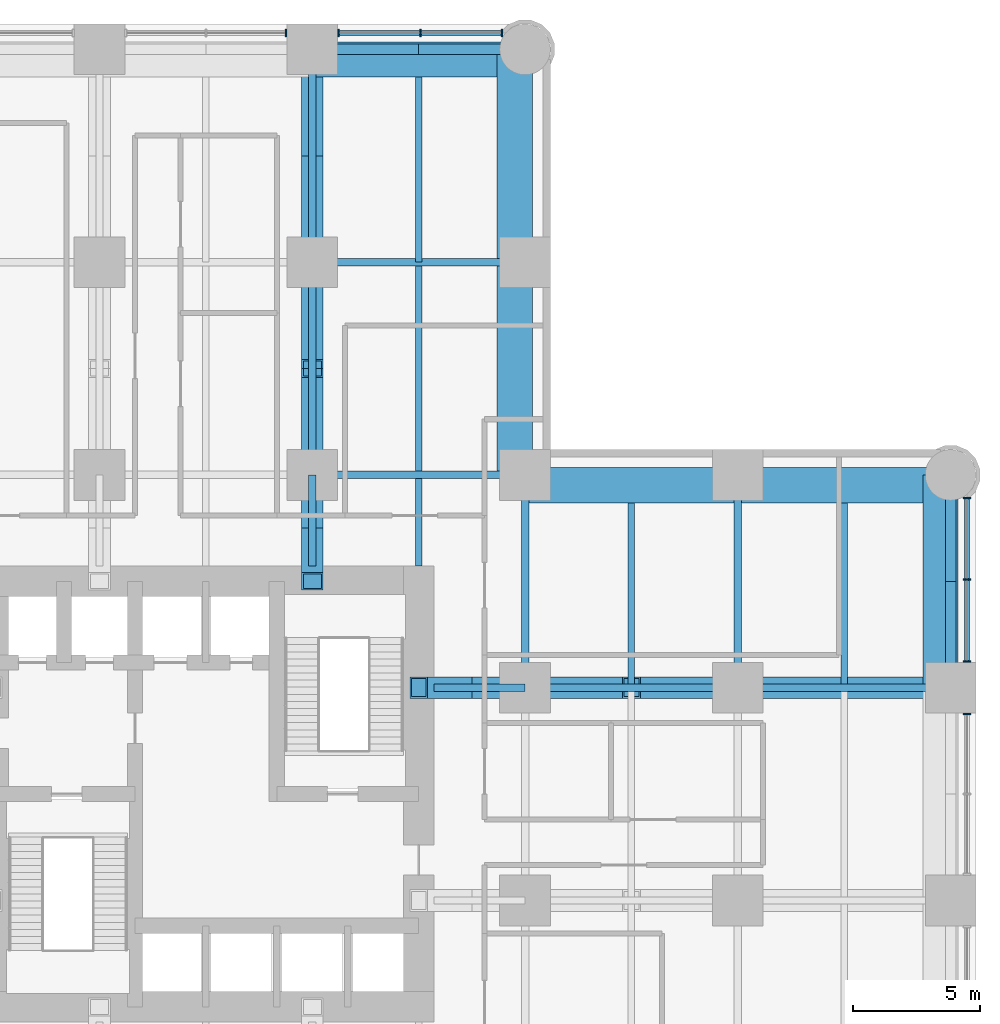
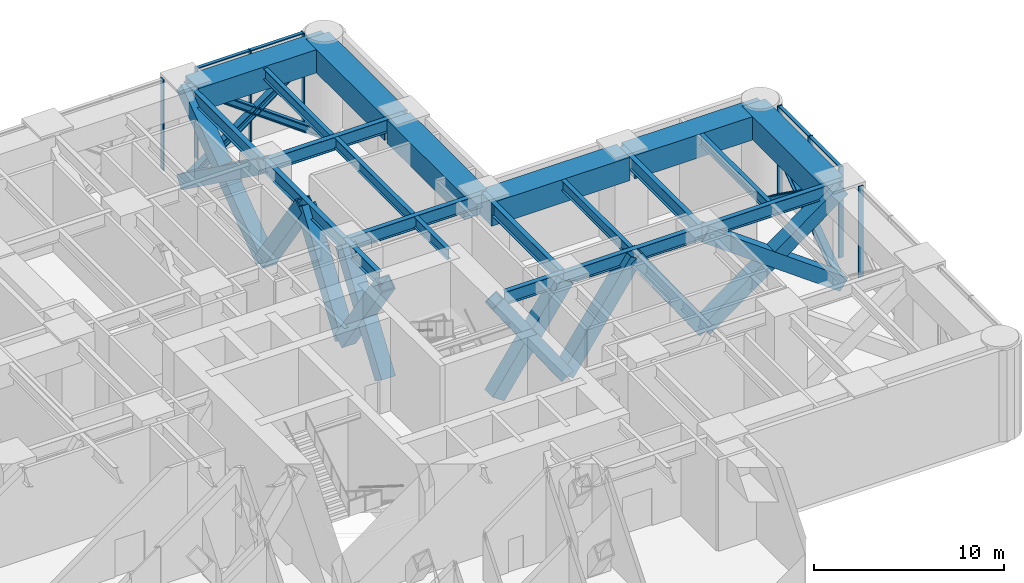
# One storey, part 6 of 12: 28 members, 21 beams, 2 elements without a shape of their own.
"""IFC4 building model written with IfcOpenShell, lengths in metres."""

from ifc_helpers import new_model, si_unit, direction, frame, origin, origin_2d, place, context, subcontext, project, spatial, rectangle, hollow_rectangle, i_section, extrude, material, material_profile, profile_set, type_object, element, aggregate, save


model = new_model("IFC4")

# Units and contexts
model_context = context("Model", 3, precision=1e-05, world=origin(), true_north=direction((0.0, 1.0)))
body_context = subcontext(model_context, "Body", "Model", "MODEL_VIEW")
ifc_project = project(units=[si_unit("LENGTHUNIT", "METRE"), si_unit("AREAUNIT", "SQUARE_METRE"), si_unit("VOLUMEUNIT", "CUBIC_METRE"), si_unit("PLANEANGLEUNIT", "RADIAN"), si_unit("MASSUNIT", "GRAM", prefix="KILO")], contexts=[model_context])

# Site, building, storey
site_placement = place(None, origin())
site = spatial("IfcSite", under=ifc_project, at=site_placement, CompositionType="ELEMENT")
building_placement = place(site_placement, origin())
building = spatial("IfcBuilding", under=site, at=building_placement, Name="Torre Alcanfor", CompositionType="ELEMENT")
storey_placement = place(building_placement, frame((0.0, 0.0, 102.89990234375)))
storey = spatial("IfcBuildingStorey", under=building, at=storey_placement, Name="L26", CompositionType="ELEMENT", Elevation=102.89990234375)

# Members
ifc_material_1 = material(Name="Steel ASTM A992 Grade 50", Category="steel")
ifc_material_profile_1 = material_profile(ifc_material_1, i_section(OverallWidth=0.411376953125, OverallDepth=0.434326171875, WebThickness=0.035888671875, FlangeThickness=0.057373046875, at=origin_2d()), Name="W14x311")
ifc_profile_set_1 = profile_set([ifc_material_profile_1], Name="Steel ASTM A992 Grade 50")
member_type_1 = type_object("IfcMemberType", Name="Belt truss diagonal W14x311", PredefinedType="BRACE", material=ifc_profile_set_1)
for number, where, z_axis, x_axis, name in (
    (1, (33.60009765625, 58.800048828125, -0.64990234375), (0.809144712888, 0.0, 0.587609422665), (0.0, 1.0, 0.0), "Belt truss L26 N arm panel 3 diagonal A"),
    (2, (42.0, 58.800048828125, -0.64990234375), (-0.809144712888, 0.0, 0.587609422665), (0.0, -1.0, 0.0), "Belt truss L26 N arm panel 3 diagonal B"),
    (3, (58.800048828125, 33.60009765625, -0.64990234375), (0.0, 0.809144712888, 0.587609422665), (-1.0, 0.0, 0.0), "Belt truss L26 E arm panel 3 diagonal A"),
    (4, (58.800048828125, 42.0, -0.64990234375), (0.0, -0.809144712888, 0.587609422665), (1.0, 0.0, 0.0), "Belt truss L26 E arm panel 3 diagonal B"),
):
    element("IfcMember", number, at=place(storey_placement, frame(where, z_axis=z_axis, x_axis=x_axis)), inside=storey, type_object=member_type_1, Name=name, PredefinedType="BRACE", context=body_context, shape_type="SweptSolid", body=[
        extrude(i_section(OverallWidth=0.411376953125, OverallDepth=0.434326171875, WebThickness=0.035888671875, FlangeThickness=0.057373046875, at=origin_2d()), origin(), (0.0, 0.0, 1.0), 10.381103515625),
    ])

# Curtain wall, members
ifc_material_2 = material(Name="Aluminium and glass", Category="aluminium")
curtain_wall_type = type_object("IfcCurtainWallType", Name="CW-D plant floor louvre screen", PredefinedType="NOTDEFINED", material=ifc_material_2)
curtain_wall_1_placement = place(storey_placement, origin())
curtain_wall_1 = element("IfcCurtainWall", 5, at=curtain_wall_1_placement, inside=storey, type_object=curtain_wall_type, Name="Curtain wall CW-D L26 8", PredefinedType="NOTDEFINED")
ifc_material_3 = material(Name="Extruded aluminium", Category="aluminium")
ifc_material_profile_2 = material_profile(ifc_material_3, rectangle(XDim=0.300048828125, YDim=0.06494140625, at=origin_2d()), Name="CW-D mullion 65x300")
ifc_profile_set_2 = profile_set([ifc_material_profile_2], Name="Extruded aluminium")
member_type_2 = type_object("IfcMemberType", Name="CW-D mullion 65x300", PredefinedType="MULLION", material=ifc_profile_set_2)
member_1_placement = place(storey_placement, frame((59.449951171875, 32.5625, 0.0), z_axis=(0.0, 0.0, 1.0), x_axis=(-1.0, 0.0, 0.0)))
member_1 = element("IfcMember", 6, at=member_1_placement, type_object=member_type_2, Name="CW-D mullion 2.3", PredefinedType="MULLION", context=body_context, shape_type="SweptSolid", body=[
    extrude(rectangle(XDim=0.300048828125, YDim=0.06494140625, at=origin_2d()), origin(), (0.0, 0.0, 1.0), 5.85009765625),
])
member_2_placement = place(storey_placement, frame((59.449951171875, 34.637451171875, 0.0), z_axis=(0.0, 0.0, 1.0), x_axis=(-1.0, 0.0, 0.0)))
member_2 = element("IfcMember", 7, at=member_2_placement, type_object=member_type_2, Name="CW-D mullion 3.1", PredefinedType="MULLION", context=body_context, shape_type="SweptSolid", body=[
    extrude(rectangle(XDim=0.300048828125, YDim=0.06494140625, at=origin_2d()), origin(), (0.0, 0.0, 1.0), 5.85009765625),
])
member_3_placement = place(storey_placement, frame((59.449951171875, 37.86669921875, 0.0), z_axis=(0.0, 0.0, 1.0), x_axis=(-1.0, 0.0, 0.0)))
member_3 = element("IfcMember", 8, at=member_3_placement, type_object=member_type_2, Name="CW-D mullion 3.2", PredefinedType="MULLION", context=body_context, shape_type="SweptSolid", body=[
    extrude(rectangle(XDim=0.300048828125, YDim=0.06494140625, at=origin_2d()), origin(), (0.0, 0.0, 1.0), 5.85009765625),
])
member_4_placement = place(storey_placement, frame((59.449951171875, 41.095703125, 0.0), z_axis=(0.0, 0.0, 1.0), x_axis=(-1.0, 0.0, 0.0)))
member_4 = element("IfcMember", 9, at=member_4_placement, type_object=member_type_2, Name="CW-D mullion 3.3", PredefinedType="MULLION", context=body_context, shape_type="SweptSolid", body=[
    extrude(rectangle(XDim=0.300048828125, YDim=0.06494140625, at=origin_2d()), origin(), (0.0, 0.0, 1.0), 5.85009765625),
])

curtain_wall_2_placement = place(storey_placement, origin())
curtain_wall_2 = element("IfcCurtainWall", 10, at=curtain_wall_2_placement, inside=storey, type_object=curtain_wall_type, Name="Curtain wall CW-D L26 11", PredefinedType="NOTDEFINED")
member_5_placement = place(storey_placement, frame((41.095703125, 59.449951171875, 0.0), z_axis=(0.0, 0.0, 1.0), x_axis=(0.0, -1.0, 0.0)))
member_5 = element("IfcMember", 11, at=member_5_placement, type_object=member_type_2, Name="CW-D mullion 1.1", PredefinedType="MULLION", context=body_context, shape_type="SweptSolid", body=[
    extrude(rectangle(XDim=0.300048828125, YDim=0.06494140625, at=origin_2d()), origin(), (0.0, 0.0, 1.0), 5.85009765625),
])
member_6_placement = place(storey_placement, frame((37.86669921875, 59.449951171875, 0.0), z_axis=(0.0, 0.0, 1.0), x_axis=(0.0, -1.0, 0.0)))
member_6 = element("IfcMember", 12, at=member_6_placement, type_object=member_type_2, Name="CW-D mullion 1.2", PredefinedType="MULLION", context=body_context, shape_type="SweptSolid", body=[
    extrude(rectangle(XDim=0.300048828125, YDim=0.06494140625, at=origin_2d()), origin(), (0.0, 0.0, 1.0), 5.85009765625),
])
member_7_placement = place(storey_placement, frame((34.637451171875, 59.449951171875, 0.0), z_axis=(0.0, 0.0, 1.0), x_axis=(0.0, -1.0, 0.0)))
member_7 = element("IfcMember", 13, at=member_7_placement, type_object=member_type_2, Name="CW-D mullion 1.3", PredefinedType="MULLION", context=body_context, shape_type="SweptSolid", body=[
    extrude(rectangle(XDim=0.300048828125, YDim=0.06494140625, at=origin_2d()), origin(), (0.0, 0.0, 1.0), 5.85009765625),
])
member_8_placement = place(storey_placement, frame((32.5625, 59.449951171875, 0.0), z_axis=(0.0, 0.0, 1.0), x_axis=(0.0, -1.0, 0.0)))
member_8 = element("IfcMember", 14, at=member_8_placement, type_object=member_type_2, Name="CW-D mullion 2.1", PredefinedType="MULLION", context=body_context, shape_type="SweptSolid", body=[
    extrude(rectangle(XDim=0.300048828125, YDim=0.06494140625, at=origin_2d()), origin(), (0.0, 0.0, 1.0), 5.85009765625),
])

# Member
ifc_material_4 = material(Name="Extruded aluminium", Category="aluminium")
ifc_material_profile_3 = material_profile(ifc_material_4, rectangle(XDim=0.199951171875, YDim=0.06494140625, at=origin_2d()), Name="CW-D transom 200x65")
ifc_profile_set_3 = profile_set([ifc_material_profile_3], Name="Extruded aluminium")
member_type_3 = type_object("IfcMemberType", Name="CW-D transom 65x200", PredefinedType="USERDEFINED", material=ifc_profile_set_3)
member_9_placement = place(storey_placement, frame((59.449951171875, 34.669921875, 5.817626953125), z_axis=(0.0, 1.0, 0.0), x_axis=(-1.0, 0.0, 0.0)))
member_9 = element("IfcMember", 15, at=member_9_placement, type_object=member_type_3, Name="CW-D transom 3.1.2", ObjectType="TRANSOM", PredefinedType="USERDEFINED", context=body_context, shape_type="SweptSolid", body=[
    extrude(rectangle(XDim=0.199951171875, YDim=0.06494140625, at=origin_2d()), origin(), (0.0, 0.0, 1.0), 3.164306640625),
])

member_10_placement = place(storey_placement, frame((59.449951171875, 37.899169921875, 5.817626953125), z_axis=(0.0, 1.0, 0.0), x_axis=(-1.0, 0.0, 0.0)))
member_10 = element("IfcMember", 16, at=member_10_placement, type_object=member_type_3, Name="CW-D transom 3.2.2", ObjectType="TRANSOM", PredefinedType="USERDEFINED", context=body_context, shape_type="SweptSolid", body=[
    extrude(rectangle(XDim=0.199951171875, YDim=0.06494140625, at=origin_2d()), origin(), (0.0, 0.0, 1.0), 3.1640625),
])

aggregate(curtain_wall_1, [member_1, member_2, member_3, member_4, member_9, member_10])

member_11_placement = place(storey_placement, frame((41.063232421875, 59.449951171875, 5.817626953125), z_axis=(-1.0, 0.0, 0.0), x_axis=(0.0, -1.0, 0.0)))
member_11 = element("IfcMember", 17, at=member_11_placement, type_object=member_type_3, Name="CW-D transom 1.1.2", ObjectType="TRANSOM", PredefinedType="USERDEFINED", context=body_context, shape_type="SweptSolid", body=[
    extrude(rectangle(XDim=0.199951171875, YDim=0.06494140625, at=origin_2d()), origin(), (0.0, 0.0, 1.0), 3.1640625),
])

member_12_placement = place(storey_placement, frame((37.834228515625, 59.449951171875, 5.817626953125), z_axis=(-1.0, 0.0, 0.0), x_axis=(0.0, -1.0, 0.0)))
member_12 = element("IfcMember", 18, at=member_12_placement, type_object=member_type_3, Name="CW-D transom 1.2.2", ObjectType="TRANSOM", PredefinedType="USERDEFINED", context=body_context, shape_type="SweptSolid", body=[
    extrude(rectangle(XDim=0.199951171875, YDim=0.06494140625, at=origin_2d()), origin(), (0.0, 0.0, 1.0), 3.164306640625),
])

aggregate(curtain_wall_2, [member_5, member_6, member_7, member_11, member_12, member_8])

# Beams
ifc_material_5 = material(Name="Steel ASTM A992 Grade 50", Category="steel")
ifc_material_profile_4 = material_profile(ifc_material_5, i_section(OverallWidth=0.2919921875, OverallDepth=0.8408203125, WebThickness=0.0146484375, FlangeThickness=0.021728515625, at=origin_2d()), Name="W33x130")
ifc_profile_set_4 = profile_set([ifc_material_profile_4], Name="Steel ASTM A992 Grade 50")
beam_type_1 = type_object("IfcBeamType", Name="Girder W33x130", PredefinedType="BEAM", material=ifc_profile_set_4)
beam_1_placement = place(storey_placement, frame((42.0, 33.60009765625, 5.4296875), z_axis=(1.0, 0.0, 0.0), x_axis=(0.0, 1.0, 0.0)))
element("IfcBeam", 19, at=beam_1_placement, inside=storey, type_object=beam_type_1, Name="Beam 6G-7G under L27", PredefinedType="BEAM", context=body_context, shape_type="SweptSolid", body=[
    extrude(i_section(OverallWidth=0.2919921875, OverallDepth=0.8408203125, WebThickness=0.0146484375, FlangeThickness=0.021728515625, at=origin_2d()), origin(), (0.0, 0.0, 1.0), 8.39990234375),
])
beam_2_placement = place(storey_placement, frame((50.39990234375, 33.60009765625, 5.4296875), z_axis=(1.0, 0.0, 0.0), x_axis=(0.0, 1.0, 0.0)))
element("IfcBeam", 20, at=beam_2_placement, inside=storey, type_object=beam_type_1, Name="Beam 7G-8G under L27", PredefinedType="BEAM", context=body_context, shape_type="SweptSolid", body=[
    extrude(i_section(OverallWidth=0.2919921875, OverallDepth=0.8408203125, WebThickness=0.0146484375, FlangeThickness=0.021728515625, at=origin_2d()), origin(), (0.0, 0.0, 1.0), 8.400146484375),
])
for number, where, z_axis, x_axis, name in (
    (21, (33.60009765625, 42.0, 5.4296875), (1.0, 0.0, 0.0), (0.0, 1.0, 0.0), "Beam 5H-6H under L27"),
    (22, (33.60009765625, 50.39990234375, 5.4296875), (1.0, 0.0, 0.0), (0.0, 1.0, 0.0), "Beam 5J-6J under L27"),
    (23, (33.60009765625, 42.0, 5.4296875), (0.0, 1.0, 0.0), (-1.0, 0.0, 0.0), "Beam 5H-5J under L27"),
):
    element("IfcBeam", number, at=place(storey_placement, frame(where, z_axis=z_axis, x_axis=x_axis)), inside=storey, type_object=beam_type_1, Name=name, PredefinedType="BEAM", context=body_context, shape_type="SweptSolid", body=[
        extrude(i_section(OverallWidth=0.2919921875, OverallDepth=0.8408203125, WebThickness=0.0146484375, FlangeThickness=0.021728515625, at=origin_2d()), origin(), (0.0, 0.0, 1.0), 8.39990234375),
    ])
beam_3_placement = place(storey_placement, frame((33.60009765625, 50.39990234375, 5.329833984375), z_axis=(0.0, 1.0, 0.0), x_axis=(-1.0, 0.0, 0.0)))
element("IfcBeam", 24, at=beam_3_placement, inside=storey, type_object=beam_type_1, Name="Beam 5J-5K under L27", PredefinedType="BEAM", context=body_context, shape_type="SweptSolid", body=[
    extrude(i_section(OverallWidth=0.2919921875, OverallDepth=0.8408203125, WebThickness=0.0146484375, FlangeThickness=0.021728515625, at=origin_2d()), origin(), (0.0, 0.0, 1.0), 8.400146484375),
])
for number, where, z_axis, x_axis, name in (
    (25, (42.0, 33.60009765625, 5.4296875), (0.0, 1.0, 0.0), (-1.0, 0.0, 0.0), "Beam 6G-6H under L27"),
    (26, (50.39990234375, 33.60009765625, 5.4296875), (0.0, 1.0, 0.0), (-1.0, 0.0, 0.0), "Beam 7G-7H under L27"),
):
    element("IfcBeam", number, at=place(storey_placement, frame(where, z_axis=z_axis, x_axis=x_axis)), inside=storey, type_object=beam_type_1, Name=name, PredefinedType="BEAM", context=body_context, shape_type="SweptSolid", body=[
        extrude(i_section(OverallWidth=0.2919921875, OverallDepth=0.8408203125, WebThickness=0.0146484375, FlangeThickness=0.021728515625, at=origin_2d()), origin(), (0.0, 0.0, 1.0), 8.39990234375),
    ])
ifc_material_6 = material(Name="Steel ASTM A992 Grade 50", Category="steel")
ifc_material_profile_5 = material_profile(ifc_material_6, i_section(OverallWidth=0.2919921875, OverallDepth=0.8408203125, WebThickness=0.0146484375, FlangeThickness=0.021728515625, at=origin_2d()), Name="W33x130")
ifc_profile_set_5 = profile_set([ifc_material_profile_5], Name="Steel ASTM A992 Grade 50")
beam_type_2 = type_object("IfcBeamType", Name="Girder, part bay W33x130", PredefinedType="BEAM", material=ifc_profile_set_5)
for number, where, z_axis, x_axis, name in (
    (27, (33.60009765625, 42.0, 5.4296875), (0.0, -1.0, 0.0), (1.0, 0.0, 0.0), "Beam 5H-538_4 under L27"),
    (28, (42.0, 33.60009765625, 5.4296875), (-1.0, 0.0, 0.0), (0.0, -1.0, 0.0), "Beam 6G-38_4G under L27"),
):
    element("IfcBeam", number, at=place(storey_placement, frame(where, z_axis=z_axis, x_axis=x_axis)), inside=storey, type_object=beam_type_2, Name=name, PredefinedType="BEAM", context=body_context, shape_type="SweptSolid", body=[
        extrude(i_section(OverallWidth=0.2919921875, OverallDepth=0.8408203125, WebThickness=0.0146484375, FlangeThickness=0.021728515625, at=origin_2d()), origin(), (0.0, 0.0, 1.0), 3.60009765625),
    ])

# Members
ifc_material_7 = material(Name="Steel ASTM A572 Grade 50 plate", Category="steel")
ifc_material_profile_6 = material_profile(ifc_material_7, hollow_rectangle(XDim=0.85009765625, YDim=0.85009765625, WallThickness=0.070068359375, at=origin_2d()), Name="BOX 850x850x70")
ifc_profile_set_6 = profile_set([ifc_material_profile_6], Name="Steel ASTM A572 Grade 50 plate")
member_type_4 = type_object("IfcMemberType", Name="Outrigger truss diagonal BOx850x850x70", PredefinedType="BRACE", material=ifc_profile_set_6)
for number, where, z_axis, x_axis, name in (
    (29, (33.60009765625, 37.800048828125, -0.64990234375), (0.0, 0.567091101321, 0.823655075139), (-1.0, 0.0, 0.0), "Outrigger truss L26 N arm grid 33.6 panel 1 diagonal A"),
    (30, (33.60009765625, 42.0, -0.64990234375), (0.0, -0.567091101321, 0.823655075139), (1.0, 0.0, 0.0), "Outrigger truss L26 N arm grid 33.6 panel 1 diagonal B"),
    (31, (33.60009765625, 42.0, -0.64990234375), (0.0, 0.567091101321, 0.823655075139), (-1.0, 0.0, 0.0), "Outrigger truss L26 N arm grid 33.6 panel 2 diagonal A"),
    (32, (33.60009765625, 50.39990234375, -0.64990234375), (0.0, -0.567091101321, 0.823655075139), (1.0, 0.0, 0.0), "Outrigger truss L26 N arm grid 33.6 panel 2 diagonal B"),
):
    element("IfcMember", number, at=place(storey_placement, frame(where, z_axis=z_axis, x_axis=x_axis)), inside=storey, type_object=member_type_4, Name=name, PredefinedType="BRACE", context=body_context, shape_type="SweptSolid", body=[
        extrude(hollow_rectangle(XDim=0.85009765625, YDim=0.85009765625, WallThickness=0.070068359375, at=origin_2d()), origin(), (0.0, 0.0, 1.0), 7.40625),
    ])
for number, where, z_axis, x_axis, name in (
    (33, (33.60009765625, 50.39990234375, -0.64990234375), (0.0, 0.809152832909, 0.587598241144), (-1.0, 0.0, 0.0), "Outrigger truss L26 N arm grid 33.6 panel 3 diagonal A"),
    (34, (33.60009765625, 58.800048828125, -0.64990234375), (0.0, -0.809152832909, 0.587598241144), (1.0, 0.0, 0.0), "Outrigger truss L26 N arm grid 33.6 panel 3 diagonal B"),
):
    element("IfcMember", number, at=place(storey_placement, frame(where, z_axis=z_axis, x_axis=x_axis)), inside=storey, type_object=member_type_4, Name=name, PredefinedType="BRACE", context=body_context, shape_type="SweptSolid", body=[
        extrude(hollow_rectangle(XDim=0.85009765625, YDim=0.85009765625, WallThickness=0.070068359375, at=origin_2d()), origin(), (0.0, 0.0, 1.0), 10.38134765625),
    ])
for number, where, z_axis, x_axis, name in (
    (35, (37.800048828125, 33.60009765625, -0.64990234375), (0.567091101321, 0.0, 0.823655075139), (0.0, 1.0, 0.0), "Outrigger truss L26 E arm grid 33.6 panel 1 diagonal A"),
    (36, (42.0, 33.60009765625, -0.64990234375), (-0.567091101321, 0.0, 0.823655075139), (0.0, -1.0, 0.0), "Outrigger truss L26 E arm grid 33.6 panel 1 diagonal B"),
    (37, (42.0, 33.60009765625, -0.64990234375), (0.567091101321, 0.0, 0.823655075139), (0.0, 1.0, 0.0), "Outrigger truss L26 E arm grid 33.6 panel 2 diagonal A"),
    (38, (50.39990234375, 33.60009765625, -0.64990234375), (-0.567091101321, 0.0, 0.823655075139), (0.0, -1.0, 0.0), "Outrigger truss L26 E arm grid 33.6 panel 2 diagonal B"),
):
    element("IfcMember", number, at=place(storey_placement, frame(where, z_axis=z_axis, x_axis=x_axis)), inside=storey, type_object=member_type_4, Name=name, PredefinedType="BRACE", context=body_context, shape_type="SweptSolid", body=[
        extrude(hollow_rectangle(XDim=0.85009765625, YDim=0.85009765625, WallThickness=0.070068359375, at=origin_2d()), origin(), (0.0, 0.0, 1.0), 7.40625),
    ])
for number, where, z_axis, x_axis, name in (
    (39, (50.39990234375, 33.60009765625, -0.64990234375), (0.809152832909, 0.0, 0.587598241144), (0.0, 1.0, 0.0), "Outrigger truss L26 E arm grid 33.6 panel 3 diagonal A"),
    (40, (58.800048828125, 33.60009765625, -0.64990234375), (-0.809152832909, 0.0, 0.587598241144), (0.0, -1.0, 0.0), "Outrigger truss L26 E arm grid 33.6 panel 3 diagonal B"),
):
    element("IfcMember", number, at=place(storey_placement, frame(where, z_axis=z_axis, x_axis=x_axis)), inside=storey, type_object=member_type_4, Name=name, PredefinedType="BRACE", context=body_context, shape_type="SweptSolid", body=[
        extrude(hollow_rectangle(XDim=0.85009765625, YDim=0.85009765625, WallThickness=0.070068359375, at=origin_2d()), origin(), (0.0, 0.0, 1.0), 10.38134765625),
    ])

# Beams
ifc_material_8 = material(Name="Concrete f'c 70 MPa", Category="concrete")
ifc_material_profile_7 = material_profile(ifc_material_8, rectangle(XDim=1.39990234375, YDim=1.5, at=origin_2d()), Name="1400x1500")
ifc_profile_set_7 = profile_set([ifc_material_profile_7], Name="Concrete f'c 70 MPa")
beam_type_3 = type_object("IfcBeamType", Name="RC perimeter beam 1400x1500", PredefinedType="BEAM", material=ifc_profile_set_7)
beam_4_placement = place(storey_placement, frame((41.85400390625, 41.60009765625, 5.10009765625), z_axis=(1.0, 0.0, 0.0), x_axis=(0.0, 1.0, 0.0)))
element("IfcBeam", 41, at=beam_4_placement, inside=storey, type_object=beam_type_3, Name="Beam 6H-7H under L27", PredefinedType="BEAM", context=body_context, shape_type="SweptSolid", body=[
    extrude(rectangle(XDim=1.39990234375, YDim=1.5, at=origin_2d()), origin(), (0.0, 0.0, 1.0), 8.39990234375),
])
beam_5_placement = place(storey_placement, frame((50.5458984375, 41.60009765625, 5.10009765625), z_axis=(1.0, 0.0, 0.0), x_axis=(0.0, 1.0, 0.0)))
element("IfcBeam", 42, at=beam_5_placement, inside=storey, type_object=beam_type_3, Name="Beam 7H-8H under L27", PredefinedType="BEAM", context=body_context, shape_type="SweptSolid", body=[
    extrude(rectangle(XDim=1.39990234375, YDim=1.5, at=origin_2d()), origin(), (0.0, 0.0, 1.0), 8.254150390625),
])
beam_6_placement = place(storey_placement, frame((33.74609375, 58.39990234375, 5.10009765625), z_axis=(1.0, 0.0, 0.0), x_axis=(0.0, 1.0, 0.0)))
element("IfcBeam", 43, at=beam_6_placement, inside=storey, type_object=beam_type_3, Name="Beam 5K-6K under L27", PredefinedType="BEAM", context=body_context, shape_type="SweptSolid", body=[
    extrude(rectangle(XDim=1.39990234375, YDim=1.5, at=origin_2d()), origin(), (0.0, 0.0, 1.0), 8.25390625),
])
beam_7_placement = place(storey_placement, frame((41.60009765625, 42.14599609375, 5.10009765625), z_axis=(0.0, 1.0, 0.0), x_axis=(-1.0, 0.0, 0.0)))
element("IfcBeam", 44, at=beam_7_placement, inside=storey, type_object=beam_type_3, Name="Beam 6H-6J under L27", PredefinedType="BEAM", context=body_context, shape_type="SweptSolid", body=[
    extrude(rectangle(XDim=1.39990234375, YDim=1.5, at=origin_2d()), origin(), (0.0, 0.0, 1.0), 8.10791015625),
])
beam_8_placement = place(storey_placement, frame((41.60009765625, 50.5458984375, 5.10009765625), z_axis=(0.0, 1.0, 0.0), x_axis=(-1.0, 0.0, 0.0)))
element("IfcBeam", 45, at=beam_8_placement, inside=storey, type_object=beam_type_3, Name="Beam 6J-6K under L27", PredefinedType="BEAM", context=body_context, shape_type="SweptSolid", body=[
    extrude(rectangle(XDim=1.39990234375, YDim=1.5, at=origin_2d()), origin(), (0.0, 0.0, 1.0), 8.254150390625),
])
beam_9_placement = place(storey_placement, frame((58.39990234375, 33.74609375, 5.10009765625), z_axis=(0.0, 1.0, 0.0), x_axis=(-1.0, 0.0, 0.0)))
element("IfcBeam", 46, at=beam_9_placement, inside=storey, type_object=beam_type_3, Name="Beam 8G-8H under L27", PredefinedType="BEAM", context=body_context, shape_type="SweptSolid", body=[
    extrude(rectangle(XDim=1.39990234375, YDim=1.5, at=origin_2d()), origin(), (0.0, 0.0, 1.0), 8.25390625),
])
ifc_material_9 = material(Name="Steel ASTM A992 Grade 50", Category="steel")
ifc_material_profile_8 = material_profile(ifc_material_9, i_section(OverallWidth=0.25390625, OverallDepth=0.683349609375, WebThickness=0.012451171875, FlangeThickness=0.01904296875, at=origin_2d()), Name="W27x94")
ifc_profile_set_8 = profile_set([ifc_material_profile_8], Name="Steel ASTM A992 Grade 50")
beam_type_4 = type_object("IfcBeamType", Name="Secondary beam W27x94", PredefinedType="BEAM", material=ifc_profile_set_8)
beam_10_placement = place(storey_placement, frame((37.800048828125, 42.14599609375, 5.508544921875), z_axis=(0.0, 1.0, 0.0), x_axis=(-1.0, 0.0, 0.0)))
element("IfcBeam", 47, at=beam_10_placement, inside=storey, type_object=beam_type_4, Name="Beam 37_8H-37_8J under L27", PredefinedType="BEAM", context=body_context, shape_type="SweptSolid", body=[
    extrude(i_section(OverallWidth=0.25390625, OverallDepth=0.683349609375, WebThickness=0.012451171875, FlangeThickness=0.01904296875, at=origin_2d()), origin(), (0.0, 0.0, 1.0), 8.10791015625),
])
beam_11_placement = place(storey_placement, frame((37.800048828125, 50.406982421875, 5.408447265625), z_axis=(0.0, 1.0, 0.0), x_axis=(-1.0, 0.0, 0.0)))
element("IfcBeam", 48, at=beam_11_placement, inside=storey, type_object=beam_type_4, Name="Beam 37_8J-37_8K under L27", PredefinedType="BEAM", context=body_context, shape_type="SweptSolid", body=[
    extrude(i_section(OverallWidth=0.25390625, OverallDepth=0.683349609375, WebThickness=0.012451171875, FlangeThickness=0.01904296875, at=origin_2d()), origin(), (0.0, 0.0, 1.0), 7.29296875),
])
for number, where, z_axis, x_axis, name in (
    (49, (46.199951171875, 33.74609375, 5.508544921875), (0.0, 1.0, 0.0), (-1.0, 0.0, 0.0), "Beam 46_2G-46_2H under L27"),
    (50, (54.60009765625, 33.74609375, 5.508544921875), (0.0, 1.0, 0.0), (-1.0, 0.0, 0.0), "Beam 54_6G-54_6H under L27"),
):
    element("IfcBeam", number, at=place(storey_placement, frame(where, z_axis=z_axis, x_axis=x_axis)), inside=storey, type_object=beam_type_4, Name=name, PredefinedType="BEAM", context=body_context, shape_type="SweptSolid", body=[
        extrude(i_section(OverallWidth=0.25390625, OverallDepth=0.683349609375, WebThickness=0.012451171875, FlangeThickness=0.01904296875, at=origin_2d()), origin(), (0.0, 0.0, 1.0), 7.15380859375),
    ])
ifc_material_10 = material(Name="Steel ASTM A992 Grade 50", Category="steel")
ifc_material_profile_9 = material_profile(ifc_material_10, i_section(OverallWidth=0.25390625, OverallDepth=0.683349609375, WebThickness=0.012451171875, FlangeThickness=0.01904296875, at=origin_2d()), Name="W27x94")
ifc_profile_set_9 = profile_set([ifc_material_profile_9], Name="Steel ASTM A992 Grade 50")
beam_type_5 = type_object("IfcBeamType", Name="Secondary beam, part bay W27x94", PredefinedType="BEAM", material=ifc_profile_set_9)
beam_12_placement = place(storey_placement, frame((37.800048828125, 38.39990234375, 5.508544921875), z_axis=(0.0, 1.0, 0.0), x_axis=(-1.0, 0.0, 0.0)))
element("IfcBeam", 51, at=beam_12_placement, inside=storey, type_object=beam_type_5, Name="Beam 37_838_4-37_8H under L27", PredefinedType="BEAM", context=body_context, shape_type="SweptSolid", body=[
    extrude(i_section(OverallWidth=0.25390625, OverallDepth=0.683349609375, WebThickness=0.012451171875, FlangeThickness=0.01904296875, at=origin_2d()), origin(), (0.0, 0.0, 1.0), 3.4541015625),
])

save(model, "model.ifc")
